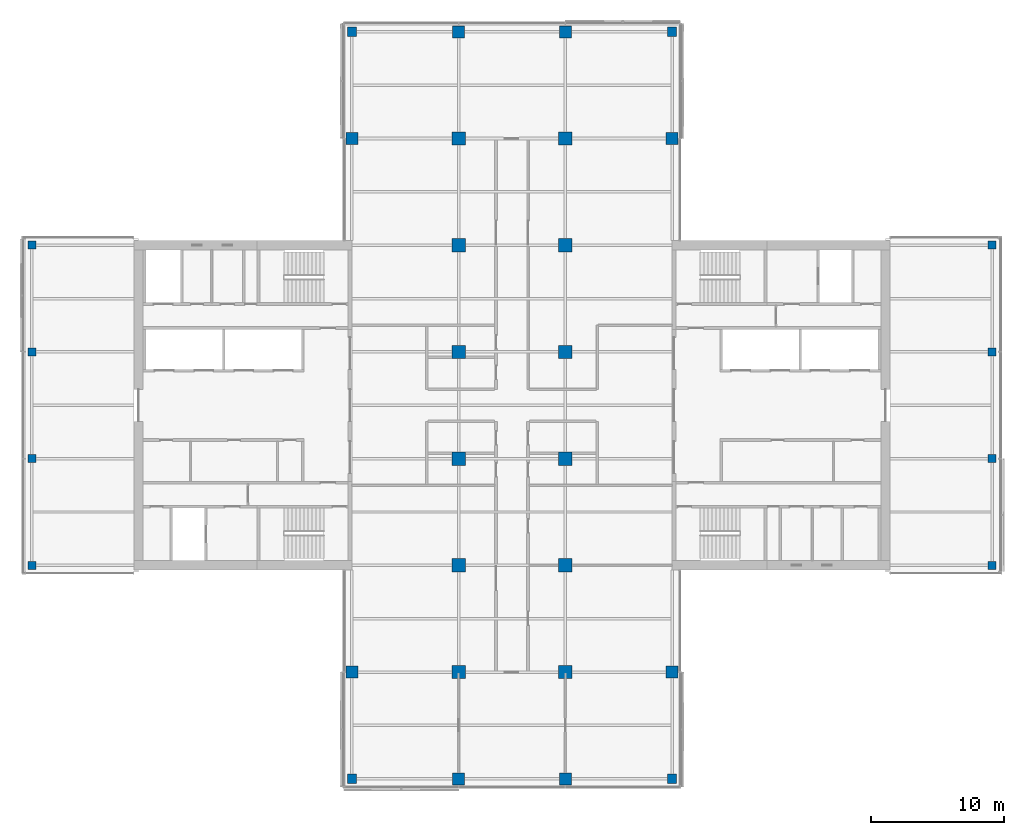
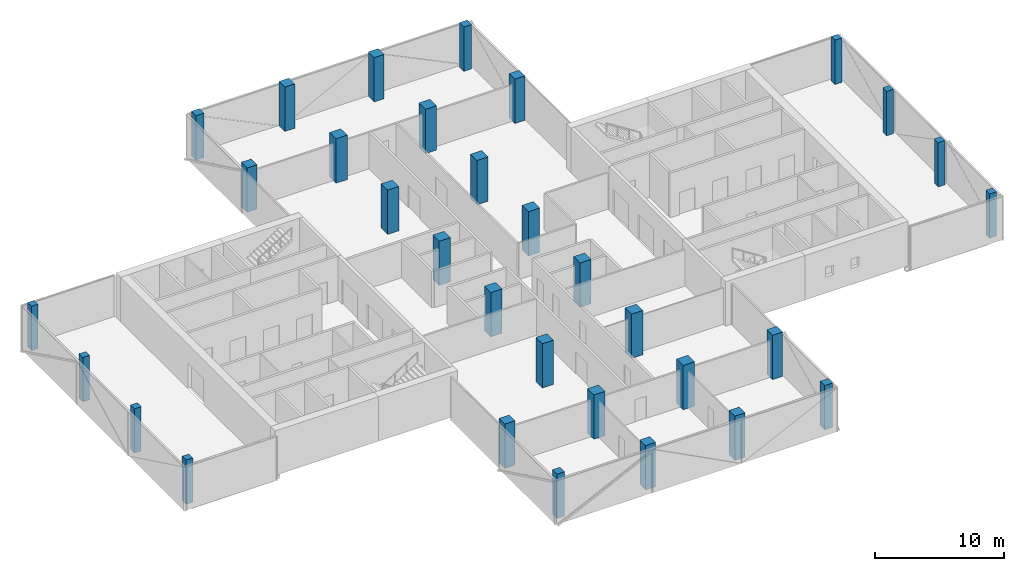
# One storey, part 1 of 22: 32 columns.
"""IFC4 building model written with IfcOpenShell, lengths in metres."""

from ifc_helpers import new_model, si_unit, direction, frame, origin, origin_2d, place, context, subcontext, project, spatial, rectangle, extrude, material, material_profile, profile_set, type_object, element, save


model = new_model("IFC4")

# Units and contexts
model_context = context("Model", 3, precision=1e-05, world=origin(), true_north=direction((0.0, 1.0)))
body_context = subcontext(model_context, "Body", "Model", "MODEL_VIEW")
ifc_project = project(units=[si_unit("LENGTHUNIT", "METRE"), si_unit("AREAUNIT", "SQUARE_METRE"), si_unit("VOLUMEUNIT", "CUBIC_METRE"), si_unit("PLANEANGLEUNIT", "RADIAN"), si_unit("MASSUNIT", "GRAM", prefix="KILO")], contexts=[model_context])

# Site, building, storey
site_placement = place(None, origin())
site = spatial("IfcSite", under=ifc_project, at=site_placement, CompositionType="ELEMENT")
building_placement = place(site_placement, origin())
building = spatial("IfcBuilding", under=site, at=building_placement, Name="Crosswind Convention Tower", CompositionType="ELEMENT")
storey_placement = place(building_placement, frame((0.0, 0.0, 121.10009765625)))
storey = spatial("IfcBuildingStorey", under=building, at=storey_placement, Name="L24", CompositionType="ELEMENT", Elevation=121.10009765625)

# Columns
ifc_material_1 = material(Name="Concrete C70/85", Category="concrete")
ifc_material_profile_1 = material_profile(ifc_material_1, rectangle(XDim=1.0, YDim=1.0, at=origin_2d()), Name="RC 1000X1000")
ifc_profile_set_1 = profile_set([ifc_material_profile_1], Name="Concrete C70/85")
column_type_1 = type_object("IfcColumnType", Name="Column RC 1000X1000", PredefinedType="COLUMN", material=ifc_profile_set_1)
for number, where, z_axis, x_axis, name in (
    (1, (121.0, 80.0, 0.0), (0.0, 0.0, 1.0), (1.0, 0.0, 0.0), "C12 L24 6/D"),
    (2, (121.0, 88.0, 0.0), (0.0, 0.0, 1.0), (1.0, 0.0, 0.0), "C12 L24 6/E"),
    (3, (121.0, 96.0, 0.0), (0.0, 0.0, 1.0), (1.0, 0.0, 0.0), "C12 L24 6/F"),
    (4, (121.0, 104.0, 0.0), (0.0, 0.0, 1.0), (1.0, 0.0, 0.0), "C12 L24 6/G"),
    (5, (121.0, 112.0, 0.0), (0.0, 0.0, 1.0), (1.0, 0.0, 0.0), "C12 L24 6/H"),
    (6, (121.0, 120.0, 0.0), (0.0, 0.0, 1.0), (1.0, 0.0, 0.0), "C12 L24 6/I"),
    (7, (129.0, 80.0, 0.0), (0.0, 0.0, 1.0), (1.0, 0.0, 0.0), "C12 L24 7/D"),
    (8, (129.0, 88.0, 0.0), (0.0, 0.0, 1.0), (1.0, 0.0, 0.0), "C12 L24 7/E"),
    (9, (129.0, 96.0, 0.0), (0.0, 0.0, 1.0), (1.0, 0.0, 0.0), "C12 L24 7/F"),
    (10, (129.0, 104.0, 0.0), (0.0, 0.0, 1.0), (1.0, 0.0, 0.0), "C12 L24 7/G"),
    (11, (129.0, 112.0, 0.0), (0.0, 0.0, 1.0), (1.0, 0.0, 0.0), "C12 L24 7/H"),
    (12, (129.0, 120.0, 0.0), (0.0, 0.0, 1.0), (1.0, 0.0, 0.0), "C12 L24 7/I"),
):
    element("IfcColumn", number, at=place(storey_placement, frame(where, z_axis=z_axis, x_axis=x_axis)), inside=storey, type_object=column_type_1, Name=name, PredefinedType="COLUMN", context=body_context, shape_type="SweptSolid", body=[
        extrude(rectangle(XDim=1.0, YDim=1.0, at=origin_2d()), origin(), (0.0, 0.0, 1.0), 4.199951171875),
    ])
ifc_material_2 = material(Name="Concrete C60/75", Category="concrete")
ifc_material_profile_2 = material_profile(ifc_material_2, rectangle(XDim=0.60009765625, YDim=0.60009765625, at=origin_2d()), Name="RC 600X600")
ifc_profile_set_2 = profile_set([ifc_material_profile_2], Name="Concrete C60/75")
column_type_2 = type_object("IfcColumnType", Name="Column RC 600X600", PredefinedType="COLUMN", material=ifc_profile_set_2)
for number, where, z_axis, x_axis, name in (
    (13, (89.0, 88.0, 0.0), (0.0, 0.0, 1.0), (1.0, 0.0, 0.0), "C16 L24 2/E"),
    (14, (89.0, 96.0, 0.0), (0.0, 0.0, 1.0), (1.0, 0.0, 0.0), "C16 L24 2/F"),
    (15, (89.0, 104.0, 0.0), (0.0, 0.0, 1.0), (1.0, 0.0, 0.0), "C16 L24 2/G"),
    (16, (89.0, 112.0, 0.0), (0.0, 0.0, 1.0), (1.0, 0.0, 0.0), "C16 L24 2/H"),
    (17, (161.0, 88.0, 0.0), (0.0, 0.0, 1.0), (1.0, 0.0, 0.0), "C16 L24 11/E"),
    (18, (161.0, 96.0, 0.0), (0.0, 0.0, 1.0), (1.0, 0.0, 0.0), "C16 L24 11/F"),
    (19, (161.0, 104.0, 0.0), (0.0, 0.0, 1.0), (1.0, 0.0, 0.0), "C16 L24 11/G"),
    (20, (161.0, 112.0, 0.0), (0.0, 0.0, 1.0), (1.0, 0.0, 0.0), "C16 L24 11/H"),
):
    element("IfcColumn", number, at=place(storey_placement, frame(where, z_axis=z_axis, x_axis=x_axis)), inside=storey, type_object=column_type_2, Name=name, PredefinedType="COLUMN", context=body_context, shape_type="SweptSolid", body=[
        extrude(rectangle(XDim=0.60009765625, YDim=0.60009765625, at=origin_2d()), origin(), (0.0, 0.0, 1.0), 4.199951171875),
    ])
ifc_material_profile_3 = material_profile(ifc_material_2, rectangle(XDim=0.699951171875, YDim=0.699951171875, at=origin_2d()), Name="RC 700X700")
ifc_profile_set_3 = profile_set([ifc_material_profile_3], Name="Concrete C60/75")
column_type_3 = type_object("IfcColumnType", Name="Column RC 700X700", PredefinedType="COLUMN", material=ifc_profile_set_3)
for number, where, z_axis, x_axis, name in (
    (21, (113.0, 72.0, 0.0), (0.0, 0.0, 1.0), (1.0, 0.0, 0.0), "C15 L24 5/C"),
    (22, (113.0, 128.0, 0.0), (0.0, 0.0, 1.0), (1.0, 0.0, 0.0), "C15 L24 5/J"),
    (23, (137.0, 72.0, 0.0), (0.0, 0.0, 1.0), (1.0, 0.0, 0.0), "C15 L24 8/C"),
    (24, (137.0, 128.0, 0.0), (0.0, 0.0, 1.0), (1.0, 0.0, 0.0), "C15 L24 8/J"),
):
    element("IfcColumn", number, at=place(storey_placement, frame(where, z_axis=z_axis, x_axis=x_axis)), inside=storey, type_object=column_type_3, Name=name, PredefinedType="COLUMN", context=body_context, shape_type="SweptSolid", body=[
        extrude(rectangle(XDim=0.699951171875, YDim=0.699951171875, at=origin_2d()), origin(), (0.0, 0.0, 1.0), 4.199951171875),
    ])
ifc_material_profile_4 = material_profile(ifc_material_2, rectangle(XDim=0.89990234375, YDim=0.89990234375, at=origin_2d()), Name="RC 900X900")
ifc_profile_set_4 = profile_set([ifc_material_profile_4], Name="Concrete C60/75")
column_type_4 = type_object("IfcColumnType", Name="Column RC 900X900", PredefinedType="COLUMN", material=ifc_profile_set_4)
for number, where, z_axis, x_axis, name in (
    (25, (113.0, 80.0, 0.0), (0.0, 0.0, 1.0), (1.0, 0.0, 0.0), "C13 L24 5/D"),
    (26, (113.0, 120.0, 0.0), (0.0, 0.0, 1.0), (1.0, 0.0, 0.0), "C13 L24 5/I"),
    (27, (121.0, 72.0, 0.0), (0.0, 0.0, 1.0), (1.0, 0.0, 0.0), "C13 L24 6/C"),
    (28, (121.0, 128.0, 0.0), (0.0, 0.0, 1.0), (1.0, 0.0, 0.0), "C13 L24 6/J"),
    (29, (129.0, 72.0, 0.0), (0.0, 0.0, 1.0), (1.0, 0.0, 0.0), "C13 L24 7/C"),
    (30, (129.0, 128.0, 0.0), (0.0, 0.0, 1.0), (1.0, 0.0, 0.0), "C13 L24 7/J"),
    (31, (137.0, 80.0, 0.0), (0.0, 0.0, 1.0), (1.0, 0.0, 0.0), "C13 L24 8/D"),
    (32, (137.0, 120.0, 0.0), (0.0, 0.0, 1.0), (1.0, 0.0, 0.0), "C13 L24 8/I"),
):
    element("IfcColumn", number, at=place(storey_placement, frame(where, z_axis=z_axis, x_axis=x_axis)), inside=storey, type_object=column_type_4, Name=name, PredefinedType="COLUMN", context=body_context, shape_type="SweptSolid", body=[
        extrude(rectangle(XDim=0.89990234375, YDim=0.89990234375, at=origin_2d()), origin(), (0.0, 0.0, 1.0), 4.199951171875),
    ])

save(model, "model.ifc")
